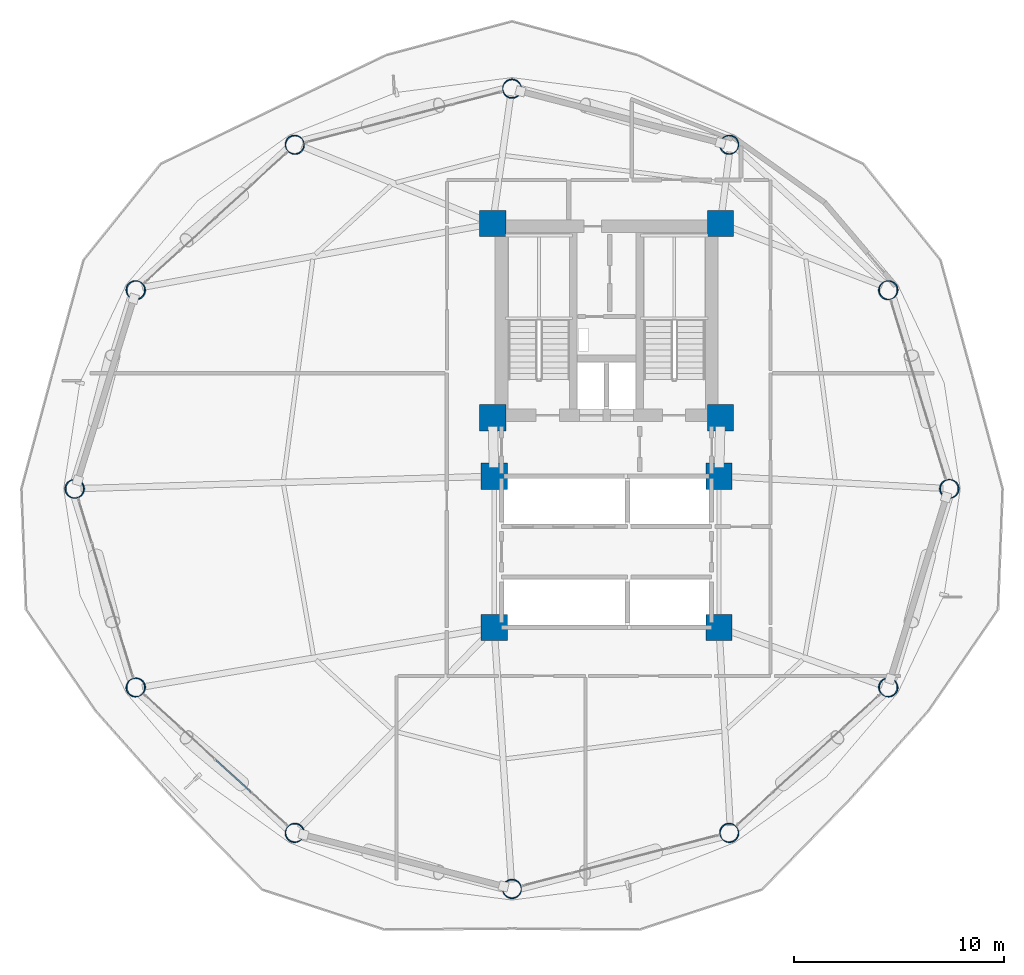
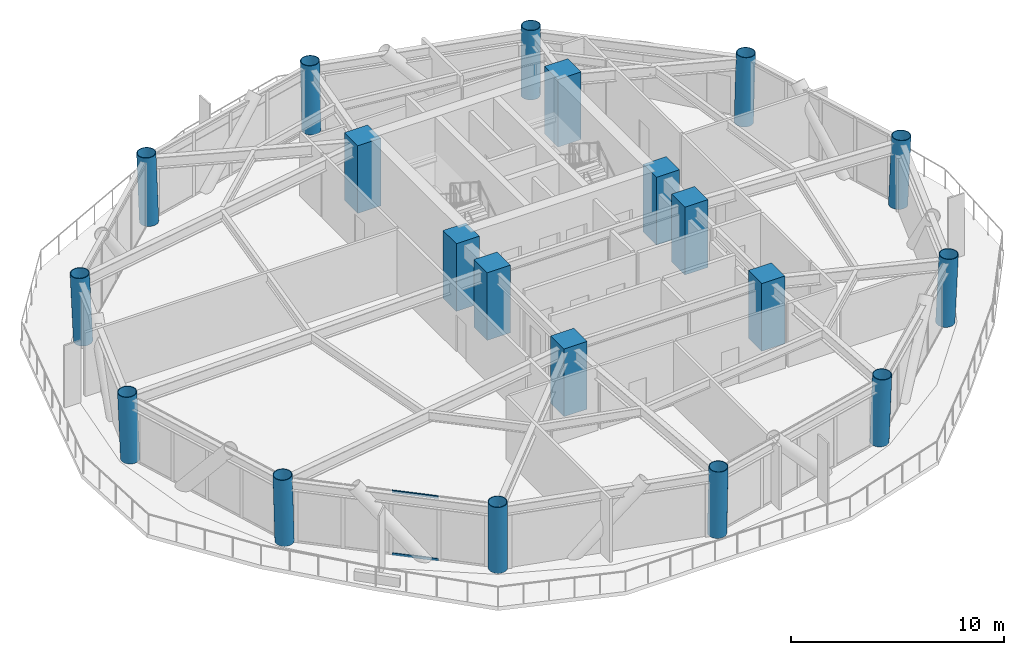
# One storey, part 1 of 24: 20 columns, 2 members, 1 element without a shape of its own.
"""IFC4 building model written with IfcOpenShell, lengths in metres."""

from ifc_helpers import new_model, si_unit, direction, frame, origin, origin_2d, place, context, subcontext, project, spatial, rectangle, hollow_rectangle, hollow_circle, extrude, material, layer, layer_set, material_profile, profile_set, type_object, element, aggregate, save


model = new_model("IFC4")

# Units and contexts
model_context = context("Model", 3, precision=1e-05, world=origin(), true_north=direction((0.0, 1.0)))
body_context = subcontext(model_context, "Body", "Model", "MODEL_VIEW")
ifc_project = project(units=[si_unit("LENGTHUNIT", "METRE"), si_unit("AREAUNIT", "SQUARE_METRE"), si_unit("VOLUMEUNIT", "CUBIC_METRE"), si_unit("PLANEANGLEUNIT", "RADIAN"), si_unit("MASSUNIT", "GRAM", prefix="KILO")], contexts=[model_context])

# Site, building, storey
site_placement = place(None, origin())
site = spatial("IfcSite", under=ifc_project, at=site_placement, CompositionType="ELEMENT")
building_placement = place(site_placement, origin())
building = spatial("IfcBuilding", under=site, at=building_placement, Name="Varnakorn Sky Granary", CompositionType="ELEMENT")
storey_placement = place(building_placement, frame((0.0, 0.0, 43.199951171875)))
storey = spatial("IfcBuildingStorey", under=building, at=storey_placement, Name="L10", CompositionType="ELEMENT", Elevation=43.199951171875)

# Columns
ifc_material_1 = material(Name="Steel S460M", Category="steel")
ifc_material_profile_1 = material_profile(ifc_material_1, hollow_circle(Radius=0.45703125, WallThickness=0.031982421875, at=origin_2d()), Name="CHS 914x32")
ifc_profile_set_1 = profile_set([ifc_material_profile_1], Name="Steel S460M")
column_type_1 = type_object("IfcColumnType", Name="COL-DC-Z1", PredefinedType="COLUMN", material=ifc_profile_set_1)
column_1_placement = place(storey_placement, frame((19.281982421875, 0.0, 0.0), z_axis=(0.043306108436, 0.0, 0.999061850424), x_axis=(0.0, 1.0, 0.0)))
element("IfcColumn", 1, at=column_1_placement, inside=storey, type_object=column_type_1, Name="Drum Perimeter Column DC01 L10", PredefinedType="COLUMN", context=body_context, shape_type="SweptSolid", body=[
    extrude(hollow_circle(Radius=0.45703125, WallThickness=0.031982421875, at=origin_2d()), origin(), (0.0, 0.0, 1.0), 3.878662109375),
])
column_2_placement = place(storey_placement, frame((16.380859375, 9.44189453125, 0.0), z_axis=(0.03751857714, 0.016933720219, 0.999152443569), x_axis=(-0.411381835987, 0.911463101294, 0.0)))
element("IfcColumn", 2, at=column_2_placement, inside=storey, type_object=column_type_1, Name="Drum Perimeter Column DC02 L10", PredefinedType="COLUMN", context=body_context, shape_type="SweptSolid", body=[
    extrude(hollow_circle(Radius=0.45703125, WallThickness=0.031982421875, at=origin_2d()), origin(), (0.0, 0.0, 1.0), 3.878173828125),
])
column_3_placement = place(storey_placement, frame((8.823486328125, 16.35400390625, 0.0), z_axis=(0.021659009825, 0.029277440606, 0.999336639359), x_axis=(-0.803924559043, 0.59473128669, 0.0)))
element("IfcColumn", 3, at=column_3_placement, inside=storey, type_object=column_type_1, Name="Drum Perimeter Column DC03 L10", PredefinedType="COLUMN", context=body_context, shape_type="SweptSolid", body=[
    extrude(hollow_circle(Radius=0.45703125, WallThickness=0.031982421875, at=origin_2d()), origin(), (0.0, 0.0, 1.0), 3.877685546875),
])
column_4_placement = place(storey_placement, frame((-1.5, 19.01904296875, 0.0), z_axis=(0.0, 0.033750921597, 0.999430275353), x_axis=(-1.0, 0.0, 0.0)))
element("IfcColumn", 4, at=column_4_placement, inside=storey, type_object=column_type_1, Name="Drum Perimeter Column DC04 L10", PredefinedType="COLUMN", context=body_context, shape_type="SweptSolid", body=[
    extrude(hollow_circle(Radius=0.45703125, WallThickness=0.031982421875, at=origin_2d()), origin(), (0.0, 0.0, 1.0), 3.877197265625),
])
column_5_placement = place(storey_placement, frame((-11.823486328125, 16.35400390625, 0.0), z_axis=(-0.021659009825, 0.029277440606, 0.999336639359), x_axis=(-0.803924559043, -0.59473128669, 0.0)))
element("IfcColumn", 5, at=column_5_placement, inside=storey, type_object=column_type_1, Name="Drum Perimeter Column DC05 L10", PredefinedType="COLUMN", context=body_context, shape_type="SweptSolid", body=[
    extrude(hollow_circle(Radius=0.45703125, WallThickness=0.031982421875, at=origin_2d()), origin(), (0.0, 0.0, 1.0), 3.877685546875),
])
column_6_placement = place(storey_placement, frame((-19.380859375, 9.44189453125, 0.0), z_axis=(-0.03751857714, 0.016933720219, 0.999152443569), x_axis=(-0.411381835987, -0.911463101294, 0.0)))
element("IfcColumn", 6, at=column_6_placement, inside=storey, type_object=column_type_1, Name="Drum Perimeter Column DC06 L10", PredefinedType="COLUMN", context=body_context, shape_type="SweptSolid", body=[
    extrude(hollow_circle(Radius=0.45703125, WallThickness=0.031982421875, at=origin_2d()), origin(), (0.0, 0.0, 1.0), 3.878173828125),
])
column_7_placement = place(storey_placement, frame((-22.281982421875, 0.0, 0.0), z_axis=(-0.043306108436, 0.0, 0.999061850424), x_axis=(0.0, -1.0, 0.0)))
element("IfcColumn", 7, at=column_7_placement, inside=storey, type_object=column_type_1, Name="Drum Perimeter Column DC07 L10", PredefinedType="COLUMN", context=body_context, shape_type="SweptSolid", body=[
    extrude(hollow_circle(Radius=0.45703125, WallThickness=0.031982421875, at=origin_2d()), origin(), (0.0, 0.0, 1.0), 3.878662109375),
])
column_8_placement = place(storey_placement, frame((-19.380859375, -9.44189453125, 0.0), z_axis=(-0.03751857714, -0.016933720219, 0.999152443569), x_axis=(0.411381835987, -0.911463101294, 0.0)))
element("IfcColumn", 8, at=column_8_placement, inside=storey, type_object=column_type_1, Name="Drum Perimeter Column DC08 L10", PredefinedType="COLUMN", context=body_context, shape_type="SweptSolid", body=[
    extrude(hollow_circle(Radius=0.45703125, WallThickness=0.031982421875, at=origin_2d()), origin(), (0.0, 0.0, 1.0), 3.878173828125),
])
column_9_placement = place(storey_placement, frame((-11.823486328125, -16.35400390625, 0.0), z_axis=(-0.021659009825, -0.029277440606, 0.999336639359), x_axis=(0.803924559043, -0.59473128669, 0.0)))
element("IfcColumn", 9, at=column_9_placement, inside=storey, type_object=column_type_1, Name="Drum Perimeter Column DC09 L10", PredefinedType="COLUMN", context=body_context, shape_type="SweptSolid", body=[
    extrude(hollow_circle(Radius=0.45703125, WallThickness=0.031982421875, at=origin_2d()), origin(), (0.0, 0.0, 1.0), 3.877685546875),
])
column_10_placement = place(storey_placement, frame((-1.5, -19.01904296875, 0.0), z_axis=(0.0, -0.033750921597, 0.999430275353), x_axis=(1.0, 0.0, 0.0)))
element("IfcColumn", 10, at=column_10_placement, inside=storey, type_object=column_type_1, Name="Drum Perimeter Column DC10 L10", PredefinedType="COLUMN", context=body_context, shape_type="SweptSolid", body=[
    extrude(hollow_circle(Radius=0.45703125, WallThickness=0.031982421875, at=origin_2d()), origin(), (0.0, 0.0, 1.0), 3.877197265625),
])
column_11_placement = place(storey_placement, frame((8.823486328125, -16.35400390625, 0.0), z_axis=(0.021659009825, -0.029277440606, 0.999336639359), x_axis=(0.803924559043, 0.59473128669, 0.0)))
element("IfcColumn", 11, at=column_11_placement, inside=storey, type_object=column_type_1, Name="Drum Perimeter Column DC11 L10", PredefinedType="COLUMN", context=body_context, shape_type="SweptSolid", body=[
    extrude(hollow_circle(Radius=0.45703125, WallThickness=0.031982421875, at=origin_2d()), origin(), (0.0, 0.0, 1.0), 3.877685546875),
])
column_12_placement = place(storey_placement, frame((16.380859375, -9.44189453125, 0.0), z_axis=(0.03751857714, -0.016933720219, 0.999152443569), x_axis=(0.411381835987, 0.911463101294, 0.0)))
element("IfcColumn", 12, at=column_12_placement, inside=storey, type_object=column_type_1, Name="Drum Perimeter Column DC12 L10", PredefinedType="COLUMN", context=body_context, shape_type="SweptSolid", body=[
    extrude(hollow_circle(Radius=0.45703125, WallThickness=0.031982421875, at=origin_2d()), origin(), (0.0, 0.0, 1.0), 3.878173828125),
])
ifc_material_2 = material(Name="Concrete C60/75", Category="concrete")
ifc_material_profile_2 = material_profile(ifc_material_2, rectangle(XDim=1.25, YDim=1.25, at=origin_2d()), Name="RC 1250x1250")
ifc_profile_set_2 = profile_set([ifc_material_profile_2], Name="Concrete C60/75")
column_type_2 = type_object("IfcColumnType", Name="COL-MC-Z1", PredefinedType="COLUMN", material=ifc_profile_set_2)
for number, where, z_axis, x_axis, name in (
    (13, (-2.419921875, 12.6201171875, 0.0), (0.0, 0.0, 1.0), (1.0, 0.0, 0.0), "Backbone Mega-Column MC1 L10"),
    (14, (8.419921875, 12.6201171875, 0.0), (0.0, 0.0, 1.0), (1.0, 0.0, 0.0), "Backbone Mega-Column MC2 L10"),
    (15, (-2.419921875, 3.3798828125, 0.0), (0.0, 0.0, 1.0), (1.0, 0.0, 0.0), "Backbone Mega-Column MC3 L10"),
    (16, (8.419921875, 3.3798828125, 0.0), (0.0, 0.0, 1.0), (1.0, 0.0, 0.0), "Backbone Mega-Column MC4 L10"),
    (17, (-2.35009765625, 0.60009765625, 0.0), (0.0, 0.0, 1.0), (1.0, 0.0, 0.0), "Backbone Mega-Column MC5 L10"),
    (18, (8.35009765625, 0.60009765625, 0.0), (0.0, 0.0, 1.0), (1.0, 0.0, 0.0), "Backbone Mega-Column MC6 L10"),
    (19, (-2.35009765625, -6.60009765625, 0.0), (0.0, 0.0, 1.0), (1.0, 0.0, 0.0), "Backbone Mega-Column MC7 L10"),
    (20, (8.35009765625, -6.60009765625, 0.0), (0.0, 0.0, 1.0), (1.0, 0.0, 0.0), "Backbone Mega-Column MC8 L10"),
):
    element("IfcColumn", number, at=place(storey_placement, frame(where, z_axis=z_axis, x_axis=x_axis)), inside=storey, type_object=column_type_2, Name=name, PredefinedType="COLUMN", context=body_context, shape_type="SweptSolid", body=[
        extrude(rectangle(XDim=1.25, YDim=1.25, at=origin_2d()), origin(), (0.0, 0.0, 1.0), 3.875),
    ])

# Curtain wall, members
ifc_material_3 = material(Name="Anodised Bronze Aluminium Alloy 6063-T6", Category="aluminium")
ifc_layer = layer(ifc_material_3, 0.18994140625, Name="Anodised Bronze Aluminium Alloy 6063-T6")
ifc_layer_set = layer_set([ifc_layer], Name="Anodised Bronze Aluminium Alloy 6063-T6")
curtain_wall_type = type_object("IfcCurtainWallType", Name="CW-FRM-1", PredefinedType="USERDEFINED", material=ifc_layer_set)
curtain_wall_placement = place(storey_placement, origin())
curtain_wall = element("IfcCurtainWall", 21, at=curtain_wall_placement, inside=storey, type_object=curtain_wall_type, Name="Unitised Curtain Wall CW3 CW-L10-B08", ObjectType="CURTAIN WALL", PredefinedType="USERDEFINED")
ifc_material_profile_3 = material_profile(ifc_material_3, hollow_rectangle(XDim=0.070068359375, YDim=0.139892578125, WallThickness=0.00341796875, at=origin_2d()), Name="ALU TRAN 70x140")
ifc_profile_set_3 = profile_set([ifc_material_profile_3], Name="Anodised Bronze Aluminium Alloy 6063-T6")
member_type = type_object("IfcMemberType", Name="CW-FRM-1-TRAN", PredefinedType="USERDEFINED", material=ifc_profile_set_3)
member_1_placement = place(storey_placement, frame((-13.929443359375, -14.427978515625, 0.03515625), z_axis=(-0.737907402303, 0.674901967419, 0.0), x_axis=(-0.674901967419, -0.737907402303, 0.0)))
member_1 = element("IfcMember", 22, at=member_1_placement, type_object=member_type, Name="CW3 transom 2.1", ObjectType="TRANSOM", PredefinedType="USERDEFINED", context=body_context, shape_type="SweptSolid", body=[
    extrude(hollow_rectangle(XDim=0.070068359375, YDim=0.139892578125, WallThickness=0.00341796875, at=origin_2d()), origin(), (0.0, 0.0, 1.0), 2.23193359375),
])
member_2_placement = place(storey_placement, frame((-13.929443359375, -14.427978515625, 3.60498046875), z_axis=(-0.737907402303, 0.674901967419, 0.0), x_axis=(-0.674901967419, -0.737907402303, 0.0)))
member_2 = element("IfcMember", 23, at=member_2_placement, type_object=member_type, Name="CW3 transom 2.2", ObjectType="TRANSOM", PredefinedType="USERDEFINED", context=body_context, shape_type="SweptSolid", body=[
    extrude(hollow_rectangle(XDim=0.070068359375, YDim=0.139892578125, WallThickness=0.00341796875, at=origin_2d()), origin(), (0.0, 0.0, 1.0), 2.23193359375),
])
aggregate(curtain_wall, [member_1, member_2])

save(model, "model.ifc")
